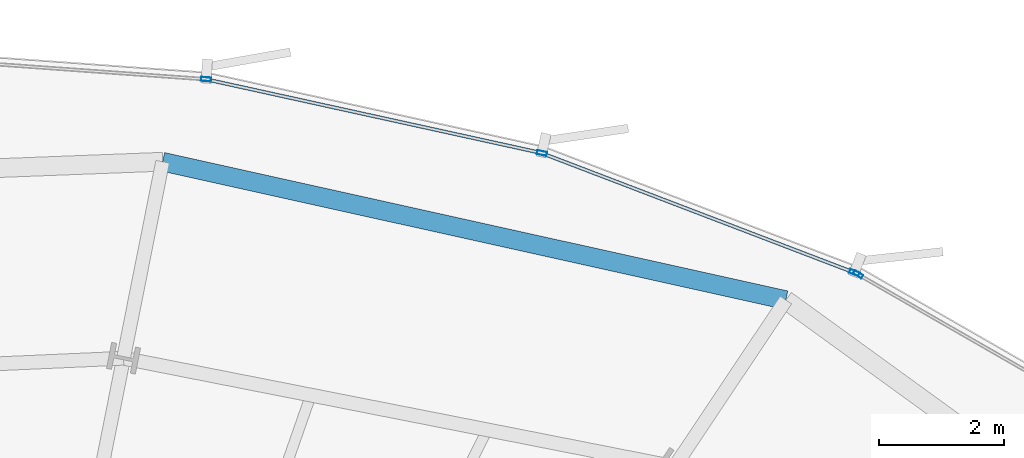
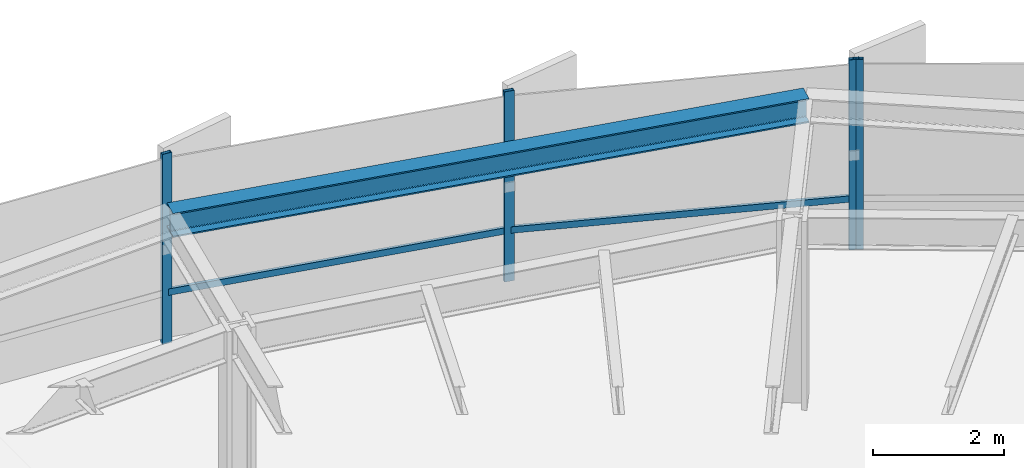
# One storey, part 22 of 38: 6 members, 1 beam, 2 elements without a shape of their own.
"""IFC4 building model written with IfcOpenShell, lengths in metres."""

from ifc_helpers import new_model, si_unit, direction, frame, origin, origin_2d, place, context, subcontext, project, spatial, hollow_rectangle, i_section, extrude, source, transform, mapped, material, layer, layer_set, material_profile, profile_set, type_object, element, aggregate, save


model = new_model("IFC4")

# Units and contexts
model_context = context("Model", 3, precision=1e-05, world=origin(), true_north=direction((0.0, 1.0)))
body_context = subcontext(model_context, "Body", "Model", "MODEL_VIEW")
ifc_project = project(units=[si_unit("LENGTHUNIT", "METRE"), si_unit("AREAUNIT", "SQUARE_METRE"), si_unit("VOLUMEUNIT", "CUBIC_METRE"), si_unit("PLANEANGLEUNIT", "RADIAN"), si_unit("MASSUNIT", "GRAM", prefix="KILO"), si_unit("THERMODYNAMICTEMPERATUREUNIT", "KELVIN")], contexts=[model_context])

# Site, building, storey
site_placement = place(None, origin())
site = spatial("IfcSite", under=ifc_project, at=site_placement, CompositionType="ELEMENT")
building_placement = place(site_placement, origin())
building = spatial("IfcBuilding", under=site, at=building_placement, Name="Kethvar Cultural Tower", CompositionType="ELEMENT")
storey_placement = place(building_placement, frame((0.0, 0.0, 29.60009765625)))
storey = spatial("IfcBuildingStorey", under=building, at=storey_placement, Name="L06", CompositionType="ELEMENT", Elevation=29.60009765625)

# Beam
ifc_material_1 = material(Name="Steel S355J2", Category="steel")
ifc_material_profile_1 = material_profile(ifc_material_1, i_section(OverallWidth=0.300048828125, OverallDepth=0.449951171875, WebThickness=0.013916015625, FlangeThickness=0.02587890625, FilletRadius=0.027099609375, at=origin_2d()), Name="Steel S355J2 — HEB450")
ifc_profile_set_1 = profile_set([ifc_material_profile_1], Name="Steel S355J2 — HEB450")
beam_type = type_object("IfcBeamType", Name="BM-SP450", PredefinedType="SPANDREL", material=ifc_profile_set_1)
shared_shape_1 = source(origin(), body_context, "Body", "SweptSolid", [
    extrude(i_section(OverallWidth=0.300048828125, OverallDepth=0.449951171875, WebThickness=0.013916015625, FlangeThickness=0.02587890625, FilletRadius=0.027099609375, at=origin_2d()), origin(), (0.0, 0.0, 1.0), 10.19873046875),
])
beam_placement = place(storey_placement, frame((61.602783203125, 49.9541015625, 3.322998046875), z_axis=(-0.976234913358, 0.216715006268, 0.0), x_axis=(-0.216715006268, -0.976234913358, 0.0)))
element("IfcBeam", 1, at=beam_placement, inside=storey, type_object=beam_type, Name="L06 Perimeter Spandrel Beam SP-03", PredefinedType="SPANDREL", context=body_context, shape_type="MappedRepresentation", body=[
    mapped(shared_shape_1, transform((0.0, 0.0, 0.0), scale=1.0)),
])

# Curtain wall, member
ifc_material_2 = material(Name="Aluminium 6063-T6", Category="aluminium")
ifc_layer = layer(ifc_material_2, 0.179931640625, Name="Aluminium 6063-T6", Category="aluminium")
ifc_layer_set = layer_set([ifc_layer], Name="Aluminium 6063-T6 (180 mm)")
curtain_wall_type = type_object("IfcCurtainWallType", Name="CW-SYS-02-Z1", PredefinedType="NOTDEFINED", material=ifc_layer_set)
curtain_wall_1_placement = place(storey_placement, origin())
curtain_wall_1 = element("IfcCurtainWall", 2, at=curtain_wall_1_placement, inside=storey, type_object=curtain_wall_type, Name="L06 Curtain Wall Run 01", PredefinedType="NOTDEFINED")
ifc_material_profile_2 = material_profile(ifc_material_2, hollow_rectangle(XDim=0.06494140625, YDim=0.159912109375, WallThickness=0.0048828125, at=origin_2d()), Name="Aluminium 6063-T6 — RHS160x65x5")
ifc_profile_set_2 = profile_set([ifc_material_profile_2], Name="Aluminium 6063-T6 — RHS160x65x5")
member_type_1 = type_object("IfcMemberType", Name="CW-SYS-02-Z1-MUL", PredefinedType="MULLION", material=ifc_profile_set_2)
shared_shape_2 = source(origin(), body_context, "Body", "SweptSolid", [
    extrude(hollow_rectangle(XDim=0.06494140625, YDim=0.159912109375, WallThickness=0.0048828125, at=origin_2d()), origin(), (0.0, 0.0, 1.0), 3.5498046875),
])
member_1_placement = place(storey_placement, frame((62.7568359375, 50.36474609375, 0.0), z_axis=(0.0, 0.0, 1.0), x_axis=(-0.497821863918, -0.867279304379, 0.0)))
member_1 = element("IfcMember", 3, at=member_1_placement, type_object=member_type_1, Name="CW-L06-R01 Mullion 7", PredefinedType="MULLION", context=body_context, shape_type="MappedRepresentation", body=[
    mapped(shared_shape_2, transform((0.0, 0.0, 0.0), scale=1.0)),
])
aggregate(curtain_wall_1, [member_1])

# Curtain wall, members
curtain_wall_2_placement = place(storey_placement, origin())
curtain_wall_2 = element("IfcCurtainWall", 4, at=curtain_wall_2_placement, inside=storey, type_object=curtain_wall_type, Name="L06 Curtain Wall Run 02", PredefinedType="NOTDEFINED")
member_2_placement = place(storey_placement, frame((62.69775390625, 50.392822265625, 0.0), z_axis=(0.0, 0.0, 1.0), x_axis=(-0.357064076459, -0.934079892355, 0.0)))
member_2 = element("IfcMember", 5, at=member_2_placement, type_object=member_type_1, Name="CW-L06-R02 Mullion 1", PredefinedType="MULLION", context=body_context, shape_type="MappedRepresentation", body=[
    mapped(shared_shape_2, transform((0.0, 0.0, 0.0), scale=1.0)),
])
member_3_placement = place(storey_placement, frame((57.705322265625, 52.302734375, 0.0), z_axis=(0.0, 0.0, 1.0), x_axis=(-0.214564862428, -0.976709741843, 0.0)))
member_3 = element("IfcMember", 6, at=member_3_placement, type_object=member_type_1, Name="CW-L06-R02 Mullion 2", PredefinedType="MULLION", context=body_context, shape_type="MappedRepresentation", body=[
    mapped(shared_shape_2, transform((0.0, 0.0, 0.0), scale=1.0)),
])
member_4_placement = place(storey_placement, frame((52.34130859375, 53.482421875, 0.0), z_axis=(0.0, 0.0, 1.0), x_axis=(-0.071532261541, -0.997438286592, 0.0)))
member_4 = element("IfcMember", 7, at=member_4_placement, type_object=member_type_1, Name="CW-L06-R02 Mullion 3", PredefinedType="MULLION", context=body_context, shape_type="MappedRepresentation", body=[
    mapped(shared_shape_2, transform((0.0, 0.0, 0.0), scale=1.0)),
])
ifc_material_profile_3 = material_profile(ifc_material_2, hollow_rectangle(XDim=0.054931640625, YDim=0.1201171875, WallThickness=0.00390625, at=origin_2d()), Name="Aluminium 6063-T6 — RHS120x55x4")
ifc_profile_set_3 = profile_set([ifc_material_profile_3], Name="Aluminium 6063-T6 — RHS120x55x4")
member_type_2 = type_object("IfcMemberType", Name="CW-SYS-02-Z1-TRN", PredefinedType="USERDEFINED", material=ifc_profile_set_3)
shared_shape_3 = source(origin(), body_context, "Body", "SweptSolid", [
    extrude(hollow_rectangle(XDim=0.054931640625, YDim=0.1201171875, WallThickness=0.00390625, at=origin_2d()), origin(), (0.0, 0.0, 1.0), 5.3115234375),
])
member_5_placement = place(storey_placement, frame((62.693359375, 50.39453125, 0.949951171875), z_axis=(-0.934085202543, 0.357050184694, 0.0), x_axis=(-0.357050184694, -0.934085202543, 0.0)))
member_5 = element("IfcMember", 8, at=member_5_placement, type_object=member_type_2, Name="CW-L06-R02 Transom 1", ObjectType="TRANSOM", PredefinedType="USERDEFINED", context=body_context, shape_type="MappedRepresentation", body=[
    mapped(shared_shape_3, transform((0.0, 0.0, 0.0), scale=1.0)),
])
shared_shape_4 = source(origin(), body_context, "Body", "SweptSolid", [
    extrude(hollow_rectangle(XDim=0.054931640625, YDim=0.1201171875, WallThickness=0.00390625, at=origin_2d()), origin(), (0.0, 0.0, 1.0), 5.415771484375),
])
member_6_placement = place(storey_placement, frame((57.659423828125, 52.312744140625, 0.949951171875), z_axis=(-0.976706104203, 0.214581420475, 0.0), x_axis=(-0.214581420475, -0.976706104203, 0.0)))
member_6 = element("IfcMember", 9, at=member_6_placement, type_object=member_type_2, Name="CW-L06-R02 Transom 2", ObjectType="TRANSOM", PredefinedType="USERDEFINED", context=body_context, shape_type="MappedRepresentation", body=[
    mapped(shared_shape_4, transform((0.0, 0.0, 0.0), scale=1.0)),
])
aggregate(curtain_wall_2, [member_2, member_3, member_4, member_5, member_6])

save(model, "model.ifc")
